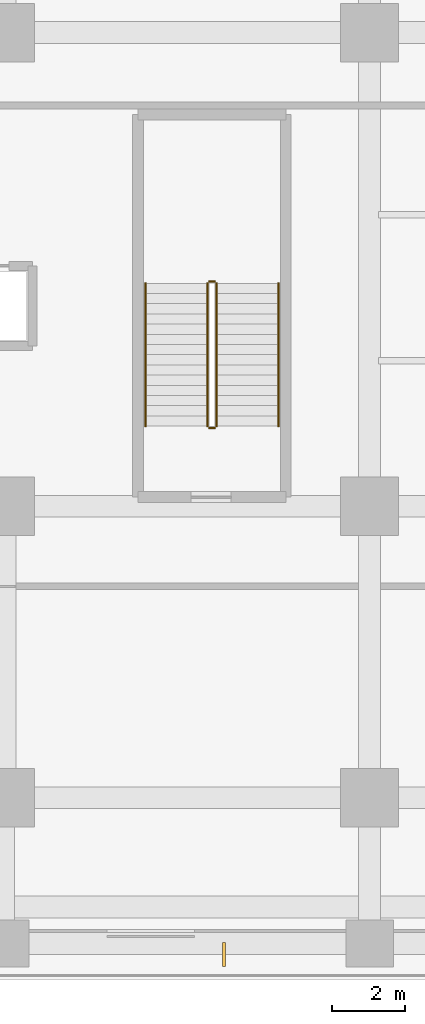
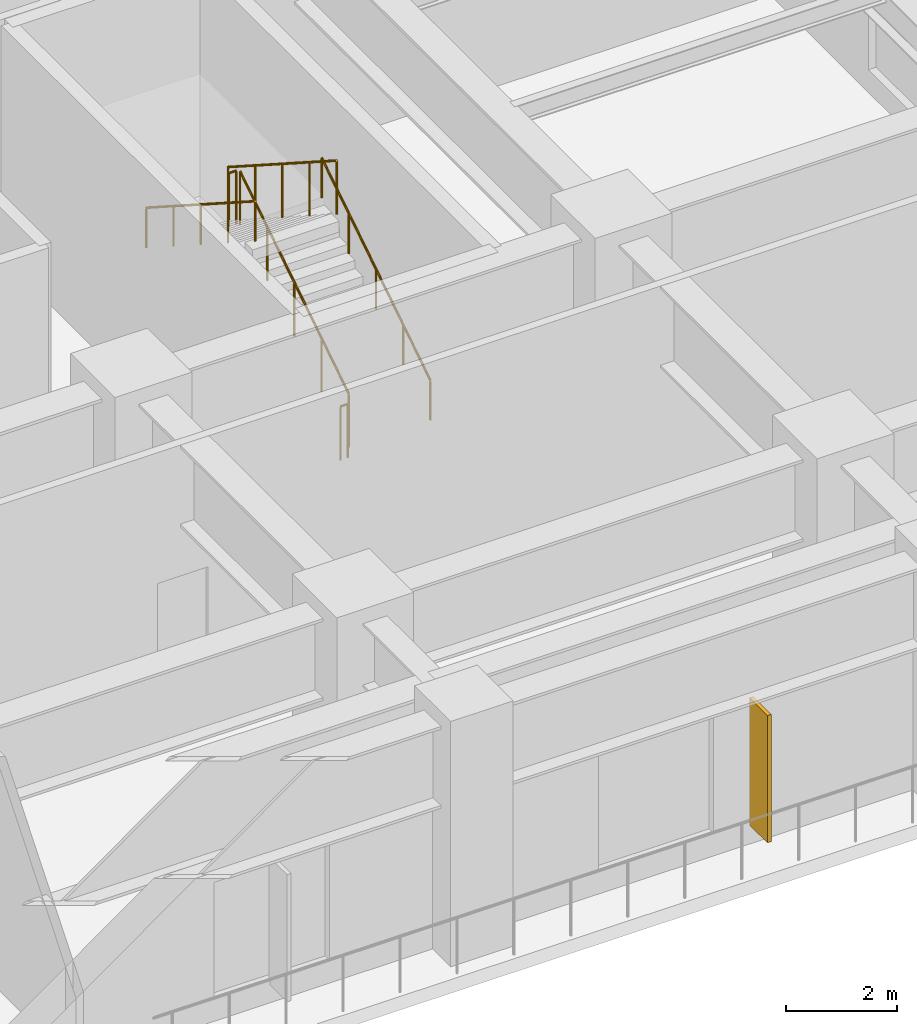
# One storey, part 28 of 28: 6 railings, 1 shading device.
"""IFC4 building model written with IfcOpenShell, lengths in metres."""

from ifc_helpers import new_model, si_unit, direction, frame, origin, origin_2d, place, context, subcontext, project, spatial, rectangle, circle, extrude, source, transform, mapped, material, layer, layer_set, type_object, element, save


model = new_model("IFC4")

# Units and contexts
model_context = context("Model", 3, precision=1e-05, world=origin(), true_north=direction((0.0, 1.0)))
body_context = subcontext(model_context, "Body", "Model", "MODEL_VIEW")
ifc_project = project(units=[si_unit("LENGTHUNIT", "METRE"), si_unit("AREAUNIT", "SQUARE_METRE"), si_unit("VOLUMEUNIT", "CUBIC_METRE"), si_unit("PLANEANGLEUNIT", "RADIAN"), si_unit("MASSUNIT", "GRAM", prefix="KILO")], contexts=[model_context])

# Site, building, storey
site_placement = place(None, origin())
site = spatial("IfcSite", under=ifc_project, at=site_placement, CompositionType="ELEMENT")
building_placement = place(site_placement, origin())
building = spatial("IfcBuilding", under=site, at=building_placement, Name="Khorayat Bourse Tower", CompositionType="ELEMENT")
storey_placement = place(building_placement, frame((0.0, 0.0, 12.0)))
storey = spatial("IfcBuildingStorey", under=building, at=storey_placement, Name="L02", CompositionType="ELEMENT", Elevation=12.0)

# Shading device
ifc_material_1 = material(Name="Anodised champagne aluminium", Category="aluminium")
ifc_layer = layer(ifc_material_1, 0.080078125)
ifc_layer_set = layer_set([ifc_layer], Name="Anodised champagne aluminium")
shading_device_type = type_object("IfcShadingDeviceType", Name="SHD-MASHRABIYA-FIN", PredefinedType="USERDEFINED", material=ifc_layer_set)
shared_shape_1 = source(origin(), body_context, "Body", "SweptSolid", [
    extrude(rectangle(XDim=0.080078125, YDim=0.64990234375, at=origin_2d()), origin(), (0.0, 0.0, 1.0), 2.800048828125),
])
shading_device_placement = place(storey_placement, frame((28.0, -36.300048828125, 0.39990234375), z_axis=(0.0, 0.0, 1.0), x_axis=(1.0, 0.0, 0.0)))
element("IfcShadingDevice", 1, at=shading_device_placement, inside=storey, type_object=shading_device_type, Name="L02 Mashrabiya Vertical Shading Fin 4", ObjectType="FIN", PredefinedType="USERDEFINED", context=body_context, shape_type="MappedRepresentation", body=[
    mapped(shared_shape_1, transform((0.0, 0.0, 0.0), scale=1.0)),
])

# Railings
ifc_material_2 = material(Name="Powder-coated steel balustrade", Category="steel")
railing_type_1 = type_object("IfcRailingType", Name="RLG-GUARD-1200", PredefinedType="GUARDRAIL", material=ifc_material_2)
shared_shape_2 = source(origin(), body_context, "Body", "SweptSolid", [
    extrude(circle(Radius=0.02392578125, at=origin_2d()), frame((0.0, 0.0, 1.17578125), z_axis=(-1.0, 0.0, 0.0), x_axis=(0.0, -1.0, 0.0)), (0.0, 0.0, 1.0), 0.14990234375),
    extrude(circle(Radius=0.02099609375, at=origin_2d()), origin(), (0.0, 0.0, 1.0), 1.15185546875),
    extrude(circle(Radius=0.02099609375, at=origin_2d()), frame((-0.14990234375, 0.0, 0.0)), (0.0, 0.0, 1.0), 1.15185546875),
])
for number, where, name in (
    (2, (27.75, -17.830078125, 2.699951171875), "L02 ST-P2 stair guard 2"),
    (3, (27.75, -21.85009765625, 0.0), "L02 ST-P2 stair guard 4"),
):
    element("IfcRailing", number, at=place(storey_placement, frame(where)), inside=storey, type_object=railing_type_1, Name=name, PredefinedType="GUARDRAIL", context=body_context, shape_type="MappedRepresentation", body=[
        mapped(shared_shape_2, transform((0.0, 0.0, 0.0), scale=1.0)),
    ])
shared_shape_3 = source(origin(), body_context, "Body", "SweptSolid", [
    extrude(circle(Radius=0.02392578125, at=origin_2d()), frame((0.0, 0.0, 1.17578125), z_axis=(0.0, 0.841186985886, 0.540744352514), x_axis=(-1.0, 0.0, 0.0)), (0.0, 0.0, 1.0), 4.660400390625),
    extrude(circle(Radius=0.02099609375, at=origin_2d()), origin(), (0.0, 0.0, 1.0), 1.15185546875),
    extrude(circle(Radius=0.02099609375, at=origin_2d()), frame((0.0, 0.97998046875, 0.6298828125)), (0.0, 0.0, 1.0), 1.15185546875),
    extrude(circle(Radius=0.02099609375, at=origin_2d()), frame((0.0, 1.9599609375, 1.260009765625)), (0.0, 0.0, 1.0), 1.15185546875),
    extrude(circle(Radius=0.02099609375, at=origin_2d()), frame((0.0, 2.940185546875, 1.89013671875)), (0.0, 0.0, 1.0), 1.15185546875),
    extrude(circle(Radius=0.02099609375, at=origin_2d()), frame((0.0, 3.920166015625, 2.52001953125)), (0.0, 0.0, 1.0), 1.15185546875),
])
railing_1_placement = place(storey_placement, frame((27.800048828125, -21.800048828125, 0.179931640625)))
element("IfcRailing", 4, at=railing_1_placement, inside=storey, type_object=railing_type_1, Name="L02 ST-P2 stair guard 1", PredefinedType="GUARDRAIL", context=body_context, shape_type="MappedRepresentation", body=[
    mapped(shared_shape_3, transform((0.0, 0.0, 0.0), scale=1.0)),
])
shared_shape_4 = source(origin(), body_context, "Body", "SweptSolid", [
    extrude(circle(Radius=0.02392578125, at=origin_2d()), frame((0.0, 0.0, 1.17578125), z_axis=(0.0, -0.841186985886, 0.540744352514), x_axis=(1.0, 0.0, 0.0)), (0.0, 0.0, 1.0), 4.660400390625),
    extrude(circle(Radius=0.02099609375, at=origin_2d()), origin(), (0.0, 0.0, 1.0), 1.15185546875),
    extrude(circle(Radius=0.02099609375, at=origin_2d()), frame((0.0, -0.97998046875, 0.6298828125)), (0.0, 0.0, 1.0), 1.15185546875),
    extrude(circle(Radius=0.02099609375, at=origin_2d()), frame((0.0, -1.9599609375, 1.260009765625)), (0.0, 0.0, 1.0), 1.15185546875),
    extrude(circle(Radius=0.02099609375, at=origin_2d()), frame((0.0, -2.940185546875, 1.89013671875)), (0.0, 0.0, 1.0), 1.15185546875),
    extrude(circle(Radius=0.02099609375, at=origin_2d()), frame((0.0, -3.920166015625, 2.52001953125)), (0.0, 0.0, 1.0), 1.15185546875),
])
railing_2_placement = place(storey_placement, frame((27.550048828125, -17.8798828125, 2.8798828125)))
element("IfcRailing", 5, at=railing_2_placement, inside=storey, type_object=railing_type_1, Name="L02 ST-P2 stair guard 3", PredefinedType="GUARDRAIL", context=body_context, shape_type="MappedRepresentation", body=[
    mapped(shared_shape_4, transform((0.0, 0.0, 0.0), scale=1.0)),
])
ifc_material_3 = material(Name="Brushed bronze stainless-steel handrail", Category="steel")
railing_type_2 = type_object("IfcRailingType", Name="RLG-HAND-900", PredefinedType="HANDRAIL", material=ifc_material_3)
shared_shape_5 = source(origin(), body_context, "Body", "SweptSolid", [
    extrude(circle(Radius=0.02392578125, at=origin_2d()), frame((0.0, 0.0, 0.8759765625), z_axis=(0.0, 0.841186985886, 0.540744352514), x_axis=(-1.0, 0.0, 0.0)), (0.0, 0.0, 1.0), 4.660400390625),
    extrude(circle(Radius=0.02099609375, at=origin_2d()), origin(), (0.0, 0.0, 1.0), 0.851806640625),
    extrude(circle(Radius=0.02099609375, at=origin_2d()), frame((0.0, 0.97998046875, 0.6298828125)), (0.0, 0.0, 1.0), 0.851806640625),
    extrude(circle(Radius=0.02099609375, at=origin_2d()), frame((0.0, 1.9599609375, 1.260009765625)), (0.0, 0.0, 1.0), 0.851806640625),
    extrude(circle(Radius=0.02099609375, at=origin_2d()), frame((0.0, 2.940185546875, 1.89013671875)), (0.0, 0.0, 1.0), 0.851806640625),
    extrude(circle(Radius=0.02099609375, at=origin_2d()), frame((0.0, 3.920166015625, 2.52001953125)), (0.0, 0.0, 1.0), 0.851806640625),
])
railing_3_placement = place(storey_placement, frame((29.5, -21.800048828125, 0.179931640625)))
element("IfcRailing", 6, at=railing_3_placement, inside=storey, type_object=railing_type_2, Name="L02 ST-P2 stair handrail 1", PredefinedType="HANDRAIL", context=body_context, shape_type="MappedRepresentation", body=[
    mapped(shared_shape_5, transform((0.0, 0.0, 0.0), scale=1.0)),
])
shared_shape_6 = source(origin(), body_context, "Body", "SweptSolid", [
    extrude(circle(Radius=0.02392578125, at=origin_2d()), frame((0.0, 0.0, 0.8759765625), z_axis=(0.0, -0.841186985886, 0.540744352514), x_axis=(1.0, 0.0, 0.0)), (0.0, 0.0, 1.0), 4.660400390625),
    extrude(circle(Radius=0.02099609375, at=origin_2d()), origin(), (0.0, 0.0, 1.0), 0.851806640625),
    extrude(circle(Radius=0.02099609375, at=origin_2d()), frame((0.0, -0.97998046875, 0.6298828125)), (0.0, 0.0, 1.0), 0.851806640625),
    extrude(circle(Radius=0.02099609375, at=origin_2d()), frame((0.0, -1.9599609375, 1.260009765625)), (0.0, 0.0, 1.0), 0.851806640625),
    extrude(circle(Radius=0.02099609375, at=origin_2d()), frame((0.0, -2.940185546875, 1.89013671875)), (0.0, 0.0, 1.0), 0.851806640625),
    extrude(circle(Radius=0.02099609375, at=origin_2d()), frame((0.0, -3.920166015625, 2.52001953125)), (0.0, 0.0, 1.0), 0.851806640625),
])
railing_4_placement = place(storey_placement, frame((25.85009765625, -17.8798828125, 2.8798828125)))
element("IfcRailing", 7, at=railing_4_placement, inside=storey, type_object=railing_type_2, Name="L02 ST-P2 stair handrail 2", PredefinedType="HANDRAIL", context=body_context, shape_type="MappedRepresentation", body=[
    mapped(shared_shape_6, transform((0.0, 0.0, 0.0), scale=1.0)),
])

save(model, "model.ifc")
